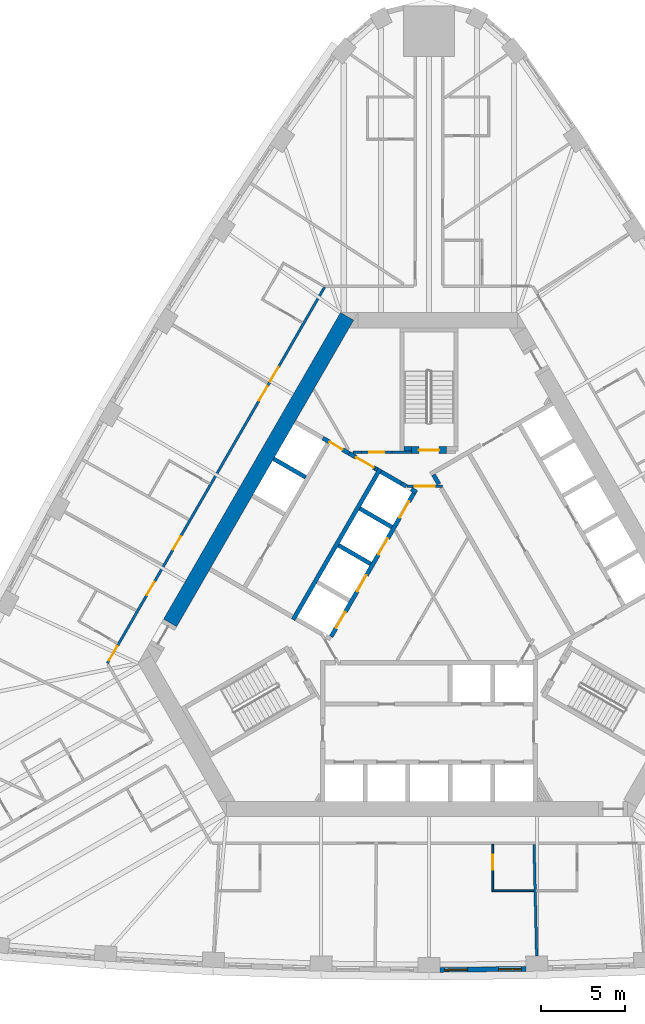
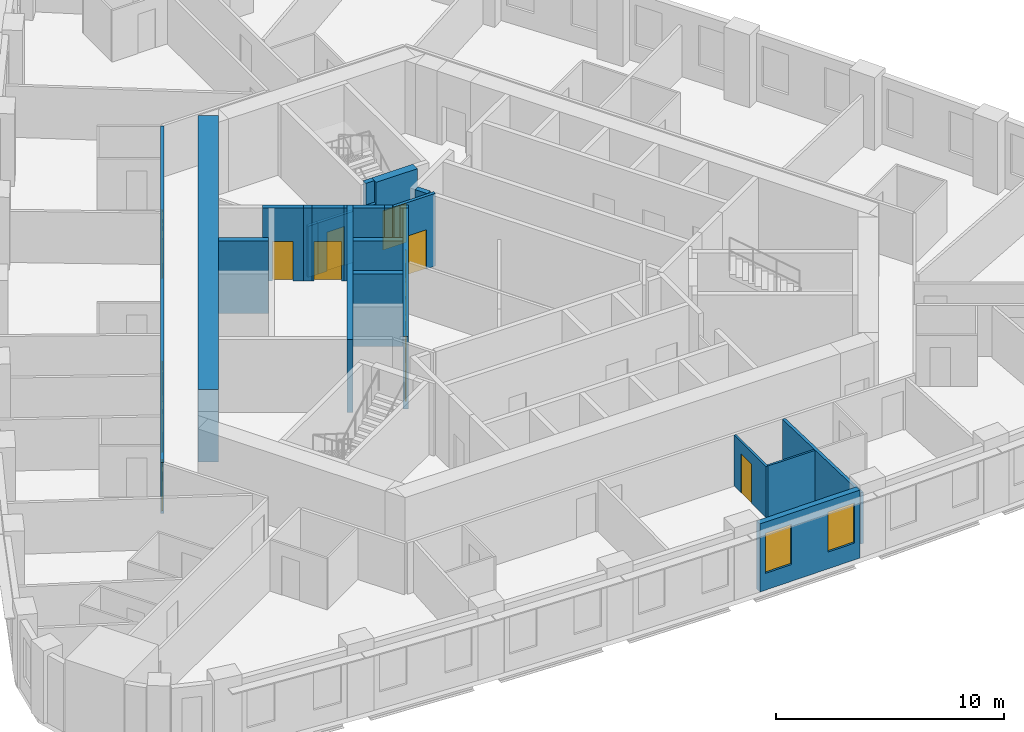
# One storey, part 6 of 12: 25 walls, 15 doors, 2 windows, 17 openings.
"""IFC4 building model written with IfcOpenShell, lengths in metres."""

from ifc_helpers import new_model, si_unit, direction, frame, frame_2d, origin, place, context, subcontext, project, spatial, polyline, rectangle, outline, extrude, material, layer, layer_set, type_object, element, fill, save


model = new_model("IFC4")

# Units and contexts
model_context = context("Model", 3, precision=1e-05, world=origin(), true_north=direction((0.0, 1.0)))
body_context = subcontext(model_context, "Body", "Model", "MODEL_VIEW")
ifc_project = project(units=[si_unit("LENGTHUNIT", "METRE"), si_unit("AREAUNIT", "SQUARE_METRE"), si_unit("VOLUMEUNIT", "CUBIC_METRE"), si_unit("PLANEANGLEUNIT", "RADIAN"), si_unit("MASSUNIT", "GRAM", prefix="KILO")], contexts=[model_context])

# Site, building, storey
site_placement = place(None, origin())
site = spatial("IfcSite", under=ifc_project, at=site_placement, CompositionType="ELEMENT")
building_placement = place(site_placement, origin())
building = spatial("IfcBuilding", under=site, at=building_placement, Name="Mestral Congress Tower", CompositionType="ELEMENT")
storey_placement = place(building_placement, frame((0.0, 0.0, 118.800048828125)))
storey = spatial("IfcBuildingStorey", under=building, at=storey_placement, Name="L28", CompositionType="ELEMENT", Elevation=118.800048828125)

# Walls
ifc_material_1 = material(Name="Fire-rated board partition")
ifc_layer_1 = layer(ifc_material_1, 0.14990234375)
ifc_layer_set_1 = layer_set([ifc_layer_1], Name="Fire-rated board partition")
wall_type_1 = type_object("IfcWallType", Name="Core partition 150", PredefinedType="PARTITIONING", material=ifc_layer_set_1)
wall_1_placement = place(storey_placement, frame((-2.195068359375, 8.62548828125, 0.0), z_axis=(0.0, 0.0, 1.0), x_axis=(1.0, 0.0, 0.0)))
element("IfcWall", 1, at=wall_1_placement, inside=storey, type_object=wall_type_1, Name="L28 core wall", PredefinedType="PARTITIONING", context=body_context, shape_type="SweptSolid", body=[
    extrude(rectangle(XDim=1.14501953125, YDim=0.14990234375, at=frame_2d((0.572509765625, 0.0))), origin(), (0.0, 0.0, 1.0), 2.75),
])
wall_2_placement = place(storey_placement, frame((-4.497802734375, 8.625244140625, 0.0), z_axis=(0.0, 0.0, 1.0), x_axis=(1.0, 0.0, 0.0)))
element("IfcWall", 2, at=wall_2_placement, inside=storey, type_object=wall_type_1, Name="L28 core wall", PredefinedType="PARTITIONING", context=body_context, shape_type="SweptSolid", body=[
    extrude(rectangle(XDim=0.50244140625, YDim=0.14990234375, at=frame_2d((0.251220703125, 0.0))), origin(), (0.0, 0.0, 1.0), 2.75),
])

# Wall, opening, door
wall_3_placement = place(storey_placement, frame((-2.1953125, 8.625, 0.0), z_axis=(0.0, 0.0, 1.0), x_axis=(-1.0, 0.0, 0.0)))
wall_3 = element("IfcWall", 3, at=wall_3_placement, inside=storey, type_object=wall_type_1, Name="L28 door wall", PredefinedType="PARTITIONING", context=body_context, shape_type="SweptSolid", body=[
    extrude(rectangle(XDim=1.7998046875, YDim=0.14990234375, at=frame_2d((0.89990234375, 0.0))), origin(), (0.0, 0.0, 1.0), 2.75),
])
opening_1_placement = place(wall_3_placement, frame((0.449951171875, 0.0, 0.0)))
opening_1 = element("IfcOpeningElement", 4, at=opening_1_placement, cuts=wall_3, Name="Opening TD2", PredefinedType="OPENING", context=body_context, shape_type="SweptSolid", body=[
    extrude(rectangle(XDim=0.89990234375, YDim=2.10009765625, at=frame_2d((0.449951171875, 1.050048828125))), frame((0.0, 0.0849609375, 0.0), z_axis=(0.0, -1.0, 0.0), x_axis=(1.0, 0.0, 0.0)), (0.0, 0.0, 1.0), 0.169921875),
])
ifc_material_2 = material(Name="Fire-rated steel door set", Category="steel")
door_type_1 = type_object("IfcDoorType", Name="Core door SR 900x2100", OperationType="SINGLE_SWING_LEFT", PredefinedType="DOOR", material=ifc_material_2)
door_1_placement = place(opening_1_placement, origin())
door_1 = element("IfcDoor", 5, at=door_1_placement, inside=storey, type_object=door_type_1, Name="Door TD2", OperationType="SINGLE_SWING_LEFT", OverallHeight=2.10009765625, OverallWidth=0.89990234375, PredefinedType="DOOR", context=body_context, shape_type="SweptSolid", body=[
    extrude(rectangle(XDim=0.89990234375, YDim=2.10009765625, at=frame_2d((0.449951171875, 1.050048828125))), frame((0.0, 0.02490234375, 0.0), z_axis=(0.0, -1.0, 0.0), x_axis=(1.0, 0.0, 0.0)), (0.0, 0.0, 1.0), 0.050048828125),
])
fill(opening_1, door_1)

# Wall
ifc_material_3 = material(Name="Concrete C60/75", Category="concrete")
ifc_layer_2 = layer(ifc_material_3, 0.89990234375)
ifc_layer_set_2 = layer_set([ifc_layer_2], Name="Concrete C60/75")
wall_type_2 = type_object("IfcWallType", Name="Core wall RC 900", PredefinedType="SOLIDWALL", material=ifc_layer_set_2)
wall_4_placement = place(storey_placement, frame((-15.359619140625, -1.50341796875, 0.0), z_axis=(0.0, 0.0, 1.0), x_axis=(0.50000389221, 0.866023156604, 0.0)))
element("IfcWall", 6, at=wall_4_placement, inside=storey, type_object=wall_type_2, Name="L28 core wall", PredefinedType="SOLIDWALL", context=body_context, shape_type="SweptSolid", body=[
    extrude(rectangle(XDim=21.000244140625, YDim=0.89990234375, at=frame_2d((10.5, 0.0))), origin(), (0.0, 0.0, 1.0), 3.89990234375),
])

# Wall, openings, windows
ifc_material_4 = material(Name="Precast concrete C40/50 with limestone facing", Category="masonry")
ifc_layer_3 = layer(ifc_material_4, 0.2900390625)
ifc_layer_set_3 = layer_set([ifc_layer_3], Name="Precast concrete C40/50 with limestone facing")
wall_type_3 = type_object("IfcWallType", Name="Facade stone wall 290", PredefinedType="SOLIDWALL", material=ifc_layer_set_3)
wall_5_placement = place(storey_placement, frame((0.6533203125, -22.091064453125, 0.0), z_axis=(0.0, 0.0, 1.0), x_axis=(0.999931786565, 0.011679992145, 0.0)))
wall_5 = element("IfcWall", 7, at=wall_5_placement, inside=storey, type_object=wall_type_3, Name="Facade wall F0-04", PredefinedType="SOLIDWALL", context=body_context, shape_type="SweptSolid", body=[
    extrude(rectangle(XDim=5.10009765625, YDim=0.2900390625, at=frame_2d((2.550048828125, 0.0))), origin(), (0.0, 0.0, 1.0), 3.64990234375),
])
opening_2_placement = place(wall_5_placement, frame((0.272705078125, 0.0, 0.89990234375)))
opening_2 = element("IfcOpeningElement", 8, at=opening_2_placement, cuts=wall_5, Name="Opening W2", PredefinedType="OPENING", context=body_context, shape_type="SweptSolid", body=[
    extrude(rectangle(XDim=1.35009765625, YDim=2.14990234375, at=frame_2d((0.675048828125, 1.074951171875))), frame((0.0, 0.155029296875, 0.0), z_axis=(0.0, -1.0, 0.0), x_axis=(1.0, 0.0, 0.0)), (0.0, 0.0, 1.0), 0.31005859375),
])
opening_3_placement = place(wall_5_placement, frame((3.477783203125, 0.0, 0.89990234375)))
opening_3 = element("IfcOpeningElement", 9, at=opening_3_placement, cuts=wall_5, Name="Opening W2", PredefinedType="OPENING", context=body_context, shape_type="SweptSolid", body=[
    extrude(rectangle(XDim=1.35009765625, YDim=2.14990234375, at=frame_2d((0.675048828125, 1.074951171875))), frame((0.0, 0.155029296875, 0.0), z_axis=(0.0, -1.0, 0.0), x_axis=(1.0, 0.0, 0.0)), (0.0, 0.0, 1.0), 0.31005859375),
])
ifc_material_5 = material(Name="Clear low-emissivity double glazing", Category="glass")
window_type = type_object("IfcWindowType", Name="Facade punched window 1350 x 2150 sill 900", PartitioningType="DOUBLE_PANEL_VERTICAL", PredefinedType="WINDOW", material=ifc_material_5)
window_1_placement = place(opening_2_placement, origin())
window_1 = element("IfcWindow", 10, at=window_1_placement, inside=storey, type_object=window_type, Name="Window F0-04a", OverallHeight=2.14990234375, OverallWidth=1.35009765625, PartitioningType="DOUBLE_PANEL_VERTICAL", PredefinedType="WINDOW", context=body_context, shape_type="SweptSolid", body=[
    extrude(rectangle(XDim=1.35009765625, YDim=2.14990234375, at=frame_2d((0.675048828125, 1.074951171875))), frame((0.0, 0.01513671875, 0.0), z_axis=(0.0, -1.0, 0.0), x_axis=(1.0, 0.0, 0.0)), (0.0, 0.0, 1.0), 0.06005859375),
])
fill(opening_2, window_1)
window_2_placement = place(opening_3_placement, origin())
window_2 = element("IfcWindow", 11, at=window_2_placement, inside=storey, type_object=window_type, Name="Window F0-04b", OverallHeight=2.14990234375, OverallWidth=1.35009765625, PartitioningType="DOUBLE_PANEL_VERTICAL", PredefinedType="WINDOW", context=body_context, shape_type="SweptSolid", body=[
    extrude(rectangle(XDim=1.35009765625, YDim=2.14990234375, at=frame_2d((0.675048828125, 1.074951171875))), frame((0.0, 0.01513671875, 0.0), z_axis=(0.0, -1.0, 0.0), x_axis=(1.0, 0.0, 0.0)), (0.0, 0.0, 1.0), 0.06005859375),
])
fill(opening_3, window_2)

# Wall, opening, door
ifc_material_6 = material(Name="Gypsum board partition on metal studs with mineral wool", Category="composite")
ifc_layer_4 = layer(ifc_material_6, 0.10009765625)
ifc_layer_set_4 = layer_set([ifc_layer_4], Name="Gypsum board partition on metal studs with mineral wool")
wall_type_4 = type_object("IfcWallType", Name="Hotel partition wall 100", PredefinedType="PARTITIONING", material=ifc_layer_set_4)
wall_6_placement = place(storey_placement, frame((3.7802734375, -14.64990234375, 0.0), z_axis=(0.0, 0.0, 1.0), x_axis=(0.0, -1.0, 0.0)))
wall_6 = element("IfcWall", 12, at=wall_6_placement, inside=storey, type_object=wall_type_4, Name="L28-h-pod03a", PredefinedType="PARTITIONING", context=body_context, shape_type="SweptSolid", body=[
    extrude(rectangle(XDim=2.800048828125, YDim=0.10009765625, at=frame_2d((1.39990234375, 0.0))), origin(), (0.0, 0.0, 1.0), 2.75),
])
opening_4_placement = place(wall_6_placement, frame((0.60009765625, 0.0, 0.0)))
opening_4 = element("IfcOpeningElement", 13, at=opening_4_placement, cuts=wall_6, Name="Opening H09-006", PredefinedType="OPENING", context=body_context, shape_type="SweptSolid", body=[
    extrude(rectangle(XDim=0.89990234375, YDim=2.10009765625, at=frame_2d((0.449951171875, 1.050048828125))), frame((0.0, 0.06005859375, 0.0), z_axis=(0.0, -1.0, 0.0), x_axis=(1.0, 0.0, 0.0)), (0.0, 0.0, 1.0), 0.1201171875),
])
ifc_material_7 = material(Name="Timber veneer door leaf in timber frame", Category="wood")
door_type_2 = type_object("IfcDoorType", Name="Bathroom door 900", OperationType="SINGLE_SWING_LEFT", PredefinedType="DOOR", material=ifc_material_7)
door_2_placement = place(opening_4_placement, origin())
door_2 = element("IfcDoor", 14, at=door_2_placement, inside=storey, type_object=door_type_2, Name="L28-h-d006", OperationType="SINGLE_SWING_RIGHT", OverallHeight=2.10009765625, OverallWidth=0.89990234375, PredefinedType="DOOR", context=body_context, shape_type="SweptSolid", body=[
    extrude(rectangle(XDim=0.89990234375, YDim=2.10009765625, at=frame_2d((0.449951171875, 1.050048828125))), frame((0.0, 0.02490234375, 0.0), z_axis=(0.0, -1.0, 0.0), x_axis=(1.0, 0.0, 0.0)), (0.0, 0.0, 1.0), 0.050048828125),
])
fill(opening_4, door_2)

# Wall
wall_7_placement = place(storey_placement, frame((3.830078125, -17.39990234375, 0.0), z_axis=(0.0, 0.0, 1.0), x_axis=(1.0, 0.0, 0.0)))
element("IfcWall", 15, at=wall_7_placement, inside=storey, type_object=wall_type_4, Name="L28-h-pod03b", PredefinedType="PARTITIONING", context=body_context, shape_type="SweptSolid", body=[
    extrude(rectangle(XDim=2.39013671875, YDim=0.10009765625, at=frame_2d((1.195068359375, 0.0))), origin(), (0.0, 0.0, 1.0), 2.75),
])

# Wall, openings, doors
ifc_layer_5 = layer(ifc_material_6, 0.14990234375)
ifc_layer_set_5 = layer_set([ifc_layer_5], Name="Gypsum board partition on metal studs with mineral wool")
wall_type_5 = type_object("IfcWallType", Name="Hotel partition wall 150", PredefinedType="PARTITIONING", material=ifc_layer_set_5)
wall_8_placement = place(storey_placement, frame((-19.081298828125, -3.89990234375, 0.0), z_axis=(0.0, 0.0, 1.0), x_axis=(0.499998313975, 0.866026377209, 0.0)))
wall_8 = element("IfcWall", 16, at=wall_8_placement, inside=storey, type_object=wall_type_5, Name="L28-h-cw08", PredefinedType="PARTITIONING", context=body_context, shape_type="SweptSolid", body=[
    extrude(rectangle(XDim=25.76611328125, YDim=0.14990234375, at=frame_2d((12.883056640625, 0.0))), origin(), (0.0, 0.0, 1.0), 2.75),
])
opening_5_placement = place(wall_8_placement, frame((19.30615234375, 0.0, 0.0)))
opening_5 = element("IfcOpeningElement", 17, at=opening_5_placement, cuts=wall_8, Name="Opening H09-027", PredefinedType="OPENING", context=body_context, shape_type="SweptSolid", body=[
    extrude(rectangle(XDim=1.0, YDim=2.10009765625, at=frame_2d((0.5, 1.050048828125))), frame((0.0, 0.0849609375, 0.0), z_axis=(0.0, -1.0, 0.0), x_axis=(1.0, 0.0, 0.0)), (0.0, 0.0, 1.0), 0.169921875),
])
opening_6_placement = place(wall_8_placement, frame((17.99951171875, 0.0, 0.0)))
opening_6 = element("IfcOpeningElement", 18, at=opening_6_placement, cuts=wall_8, Name="Opening H09-029", PredefinedType="OPENING", context=body_context, shape_type="SweptSolid", body=[
    extrude(rectangle(XDim=1.0, YDim=2.10009765625, at=frame_2d((0.5, 1.050048828125))), frame((0.0, 0.0849609375, 0.0), z_axis=(0.0, -1.0, 0.0), x_axis=(1.0, 0.0, 0.0)), (0.0, 0.0, 1.0), 0.169921875),
])
opening_7_placement = place(wall_8_placement, frame((7.792724609375, 0.0, 0.0)))
opening_7 = element("IfcOpeningElement", 19, at=opening_7_placement, cuts=wall_8, Name="Opening H09-031", PredefinedType="OPENING", context=body_context, shape_type="SweptSolid", body=[
    extrude(rectangle(XDim=0.89990234375, YDim=2.10009765625, at=frame_2d((0.449951171875, 1.050048828125))), frame((0.0, 0.0849609375, 0.0), z_axis=(0.0, -1.0, 0.0), x_axis=(1.0, 0.0, 0.0)), (0.0, 0.0, 1.0), 0.169921875),
])
opening_8_placement = place(wall_8_placement, frame((4.674072265625, 0.0, 0.0)))
opening_8 = element("IfcOpeningElement", 20, at=opening_8_placement, cuts=wall_8, Name="Opening H09-032", PredefinedType="OPENING", context=body_context, shape_type="SweptSolid", body=[
    extrude(rectangle(XDim=0.89990234375, YDim=2.10009765625, at=frame_2d((0.449951171875, 1.050048828125))), frame((0.0, 0.0849609375, 0.0), z_axis=(0.0, -1.0, 0.0), x_axis=(1.0, 0.0, 0.0)), (0.0, 0.0, 1.0), 0.169921875),
])
opening_9_placement = place(wall_8_placement, frame((0.179931640625, 0.0, 0.0)))
opening_9 = element("IfcOpeningElement", 21, at=opening_9_placement, cuts=wall_8, Name="Opening H09-033", PredefinedType="OPENING", context=body_context, shape_type="SweptSolid", body=[
    extrude(rectangle(XDim=1.0, YDim=2.10009765625, at=frame_2d((0.5, 1.050048828125))), frame((0.0, 0.0849609375, 0.0), z_axis=(0.0, -1.0, 0.0), x_axis=(1.0, 0.0, 0.0)), (0.0, 0.0, 1.0), 0.169921875),
])
ifc_material_8 = material(Name="Timber veneer door leaf in metal frame", Category="wood")
door_type_3 = type_object("IfcDoorType", Name="Guest room entrance door 1000", OperationType="SINGLE_SWING_LEFT", PredefinedType="DOOR", material=ifc_material_8)
door_3_placement = place(opening_5_placement, origin())
door_3 = element("IfcDoor", 22, at=door_3_placement, inside=storey, type_object=door_type_3, Name="L28-h-d027", OperationType="SINGLE_SWING_LEFT", OverallHeight=2.10009765625, OverallWidth=1.0, PredefinedType="DOOR", context=body_context, shape_type="SweptSolid", body=[
    extrude(rectangle(XDim=1.0, YDim=2.10009765625, at=frame_2d((0.5, 1.050048828125))), frame((0.0, 0.02490234375, 0.0), z_axis=(0.0, -1.0, 0.0), x_axis=(1.0, 0.0, 0.0)), (0.0, 0.0, 1.0), 0.050048828125),
])
fill(opening_5, door_3)
door_4_placement = place(opening_6_placement, origin())
door_4 = element("IfcDoor", 23, at=door_4_placement, inside=storey, type_object=door_type_3, Name="L28-h-d029", OperationType="SINGLE_SWING_RIGHT", OverallHeight=2.10009765625, OverallWidth=1.0, PredefinedType="DOOR", context=body_context, shape_type="SweptSolid", body=[
    extrude(rectangle(XDim=1.0, YDim=2.10009765625, at=frame_2d((0.5, 1.050048828125))), frame((0.0, 0.02490234375, 0.0), z_axis=(0.0, -1.0, 0.0), x_axis=(1.0, 0.0, 0.0)), (0.0, 0.0, 1.0), 0.050048828125),
])
fill(opening_6, door_4)
door_5_placement = place(opening_9_placement, origin())
door_5 = element("IfcDoor", 24, at=door_5_placement, inside=storey, type_object=door_type_3, Name="L28-h-d033", OperationType="SINGLE_SWING_LEFT", OverallHeight=2.10009765625, OverallWidth=1.0, PredefinedType="DOOR", context=body_context, shape_type="SweptSolid", body=[
    extrude(rectangle(XDim=1.0, YDim=2.10009765625, at=frame_2d((0.5, 1.050048828125))), frame((0.0, 0.02490234375, 0.0), z_axis=(0.0, -1.0, 0.0), x_axis=(1.0, 0.0, 0.0)), (0.0, 0.0, 1.0), 0.050048828125),
])
fill(opening_9, door_5)
door_type_4 = type_object("IfcDoorType", Name="Service room door 900", OperationType="SINGLE_SWING_LEFT", PredefinedType="DOOR", material=ifc_material_8)
door_6_placement = place(opening_7_placement, origin())
door_6 = element("IfcDoor", 25, at=door_6_placement, inside=storey, type_object=door_type_4, Name="L28-h-d031", OperationType="SINGLE_SWING_RIGHT", OverallHeight=2.10009765625, OverallWidth=0.89990234375, PredefinedType="DOOR", context=body_context, shape_type="SweptSolid", body=[
    extrude(rectangle(XDim=0.89990234375, YDim=2.10009765625, at=frame_2d((0.449951171875, 1.050048828125))), frame((0.0, 0.02490234375, 0.0), z_axis=(0.0, -1.0, 0.0), x_axis=(1.0, 0.0, 0.0)), (0.0, 0.0, 1.0), 0.050048828125),
])
fill(opening_7, door_6)
door_7_placement = place(opening_8_placement, origin())
door_7 = element("IfcDoor", 26, at=door_7_placement, inside=storey, type_object=door_type_4, Name="L28-h-d032", OperationType="SINGLE_SWING_LEFT", OverallHeight=2.10009765625, OverallWidth=0.89990234375, PredefinedType="DOOR", context=body_context, shape_type="SweptSolid", body=[
    extrude(rectangle(XDim=0.89990234375, YDim=2.10009765625, at=frame_2d((0.449951171875, 1.050048828125))), frame((0.0, 0.02490234375, 0.0), z_axis=(0.0, -1.0, 0.0), x_axis=(1.0, 0.0, 0.0)), (0.0, 0.0, 1.0), 0.050048828125),
])
fill(opening_8, door_7)

# Walls
wall_9_placement = place(storey_placement, frame((6.388916015625, -21.268798828125, 0.0), z_axis=(0.0, 0.0, 1.0), x_axis=(-0.023377429176, 0.999726710559, 0.0)))
element("IfcWall", 27, at=wall_9_placement, inside=storey, type_object=wall_type_5, Name="L28-h-pw14", PredefinedType="PARTITIONING", context=body_context, shape_type="SweptSolid", body=[
    extrude(rectangle(XDim=6.610595703125, YDim=0.14990234375, at=frame_2d((3.30517578125, 0.0))), origin(), (0.0, 0.0, 1.0), 2.75),
])
ifc_layer_6 = layer(ifc_material_3, 0.25)
ifc_layer_set_6 = layer_set([ifc_layer_6], Name="Concrete C60/75")
wall_type_6 = type_object("IfcWallType", Name="Shaft wall RC 250", PredefinedType="SOLIDWALL", material=ifc_layer_set_6)
wall_10_placement = place(storey_placement, frame((0.268310546875, 7.28515625, 0.0), z_axis=(0.0, 0.0, 1.0), x_axis=(0.500098681536, -0.865968422476, 0.0)))
element("IfcWall", 28, at=wall_10_placement, inside=storey, type_object=wall_type_6, Name="L28 core wall", PredefinedType="SOLIDWALL", context=body_context, shape_type="SweptSolid", body=[
    extrude(rectangle(XDim=0.636474609375, YDim=0.25, at=frame_2d((0.318359375, 0.0))), origin(), (0.0, 0.0, 1.0), 3.89990234375),
])
wall_11_placement = place(storey_placement, frame((-8.06005859375, -1.310546875, 0.0), z_axis=(0.0, 0.0, 1.0), x_axis=(0.50000273126, 0.866023826885, 0.0)))
element("IfcWall", 29, at=wall_11_placement, inside=storey, type_object=wall_type_6, Name="L28 core wall", PredefinedType="SOLIDWALL", context=body_context, shape_type="SweptSolid", body=[
    extrude(rectangle(XDim=10.330078125, YDim=0.25, at=frame_2d((5.1650390625, 0.0))), origin(), (0.0, 0.0, 1.0), 3.89990234375),
])
wall_12_placement = place(storey_placement, frame((-1.34228515625, 6.5947265625, 0.0), z_axis=(0.0, 0.0, 1.0), x_axis=(-0.866046247233, 0.49996389635, 0.0)))
element("IfcWall", 30, at=wall_12_placement, inside=storey, type_object=wall_type_6, Name="L28 core wall", PredefinedType="SOLIDWALL", context=body_context, shape_type="SweptSolid", body=[
    extrude(rectangle(XDim=0.35009765625, YDim=0.25, at=frame_2d((0.175048828125, 0.0))), origin(), (0.0, 0.0, 1.0), 3.89990234375),
])
wall_13_placement = place(storey_placement, frame((-1.6474609375, 6.770751953125, 0.0), z_axis=(0.0, 0.0, 1.0), x_axis=(-0.865971728693, 0.500092956464, 0.0)))
element("IfcWall", 31, at=wall_13_placement, inside=storey, type_object=wall_type_6, Name="L28 core wall", PredefinedType="SOLIDWALL", context=body_context, shape_type="SweptSolid", body=[
    extrude(rectangle(XDim=1.387939453125, YDim=0.25, at=frame_2d((0.69384765625, 0.0))), origin(), (0.0, 0.0, 1.0), 3.89990234375),
])
wall_14_placement = place(storey_placement, frame((-0.7275390625, 6.23974609375, 0.0), z_axis=(0.0, 0.0, 1.0), x_axis=(-0.866088799389, 0.499890179513, 0.0)))
element("IfcWall", 32, at=wall_14_placement, inside=storey, type_object=wall_type_6, Name="L28 core wall", PredefinedType="SOLIDWALL", context=body_context, shape_type="SweptSolid", body=[
    extrude(rectangle(XDim=0.3779296875, YDim=0.25, at=frame_2d((0.18896484375, 0.0))), origin(), (0.0, 0.0, 1.0), 3.89990234375),
])
for number, where, z_axis, x_axis, name in (
    (33, (-2.2041015625, 4.182373046875, 0.0), (0.0, 0.0, 1.0), (-0.866008176907, 0.50002983664, 0.0), "L28 core wall"),
    (34, (-5.369384765625, 3.10009765625, 0.0), (0.0, 0.0, 1.0), (0.866008176907, -0.50002983664, 0.0), "L28 core wall"),
):
    element("IfcWall", number, at=place(storey_placement, frame(where, z_axis=z_axis, x_axis=x_axis)), inside=storey, type_object=wall_type_6, Name=name, PredefinedType="SOLIDWALL", context=body_context, shape_type="SweptSolid", body=[
        extrude(rectangle(XDim=2.199951171875, YDim=0.25, at=frame_2d((1.10009765625, 0.0))), origin(), (0.0, 0.0, 1.0), 3.89990234375),
    ])
wall_15_placement = place(storey_placement, origin())
element("IfcWall", 35, at=wall_15_placement, inside=storey, type_object=wall_type_6, Name="L28 core wall", PredefinedType="SOLIDWALL", context=body_context, shape_type="SweptSolid", body=[
    extrude(outline(polyline([(-3.12841796875, 7.4814453125), (-3.2587890625, 7.556640625), (-3.1337890625, 7.773193359375), (-3.00341796875, 7.697998046875), (-3.12841796875, 7.4814453125)])), origin(), (0.0, 0.0, 1.0), 3.89990234375),
])
wall_16_placement = place(storey_placement, frame((-7.313720703125, 7.13232421875, 0.0), z_axis=(0.0, 0.0, 1.0), x_axis=(-0.866008176907, 0.50002983664, 0.0)))
element("IfcWall", 36, at=wall_16_placement, inside=storey, type_object=wall_type_6, Name="L28 core wall", PredefinedType="SOLIDWALL", context=body_context, shape_type="SweptSolid", body=[
    extrude(rectangle(XDim=2.199951171875, YDim=0.25, at=frame_2d((1.10009765625, 0.0))), origin(), (0.0, 0.0, 1.0), 3.89990234375),
])
wall_17_placement = place(storey_placement, frame((-4.40869140625, 8.364990234375, 0.0), z_axis=(0.0, 0.0, 1.0), x_axis=(-0.866057014183, 0.499945245186, 0.0)))
element("IfcWall", 37, at=wall_17_placement, inside=storey, type_object=wall_type_6, Name="L28 core wall", PredefinedType="SOLIDWALL", context=body_context, shape_type="SweptSolid", body=[
    extrude(rectangle(XDim=0.37939453125, YDim=0.25, at=frame_2d((0.189697265625, 0.0))), origin(), (0.0, 0.0, 1.0), 3.89990234375),
])

# Wall, openings, doors
wall_18_placement = place(storey_placement, frame((-0.898193359375, 6.194091796875, 0.0), z_axis=(0.0, 0.0, 1.0), x_axis=(-0.499996202215, -0.866027596426, 0.0)))
wall_18 = element("IfcWall", 38, at=wall_18_placement, inside=storey, type_object=wall_type_6, Name="L28 door wall", PredefinedType="SOLIDWALL", context=body_context, shape_type="SweptSolid", body=[
    extrude(rectangle(XDim=9.830078125, YDim=0.25, at=frame_2d((4.9150390625, 0.0))), origin(), (0.0, 0.0, 1.0), 3.89990234375),
])
opening_10_placement = place(wall_18_placement, frame((0.5849609375, 0.0, 0.0)))
opening_10 = element("IfcOpeningElement", 39, at=opening_10_placement, cuts=wall_18, Name="Opening LD-NWB1", PredefinedType="OPENING", context=body_context, shape_type="SweptSolid", body=[
    extrude(rectangle(XDim=1.10009765625, YDim=2.10009765625, at=frame_2d((0.550048828125, 1.050048828125))), frame((0.0, 0.135009765625, 0.0), z_axis=(0.0, -1.0, 0.0), x_axis=(1.0, 0.0, 0.0)), (0.0, 0.0, 1.0), 0.27001953125),
])
opening_11_placement = place(wall_18_placement, frame((3.10498046875, 0.0, 0.0)))
opening_11 = element("IfcOpeningElement", 40, at=opening_11_placement, cuts=wall_18, Name="Opening LD-NWB2", PredefinedType="OPENING", context=body_context, shape_type="SweptSolid", body=[
    extrude(rectangle(XDim=1.10009765625, YDim=2.10009765625, at=frame_2d((0.550048828125, 1.050048828125))), frame((0.0, 0.135009765625, 0.0), z_axis=(0.0, -1.0, 0.0), x_axis=(1.0, 0.0, 0.0)), (0.0, 0.0, 1.0), 0.27001953125),
])
opening_12_placement = place(wall_18_placement, frame((5.625, 0.0, 0.0)))
opening_12 = element("IfcOpeningElement", 41, at=opening_12_placement, cuts=wall_18, Name="Opening LD-NWB3", PredefinedType="OPENING", context=body_context, shape_type="SweptSolid", body=[
    extrude(rectangle(XDim=1.10009765625, YDim=2.10009765625, at=frame_2d((0.550048828125, 1.050048828125))), frame((0.0, 0.135009765625, 0.0), z_axis=(0.0, -1.0, 0.0), x_axis=(1.0, 0.0, 0.0)), (0.0, 0.0, 1.0), 0.27001953125),
])
opening_13_placement = place(wall_18_placement, frame((8.14501953125, 0.0, 0.0)))
opening_13 = element("IfcOpeningElement", 42, at=opening_13_placement, cuts=wall_18, Name="Opening LD-NWB4", PredefinedType="OPENING", context=body_context, shape_type="SweptSolid", body=[
    extrude(rectangle(XDim=1.10009765625, YDim=2.10009765625, at=frame_2d((0.550048828125, 1.050048828125))), frame((0.0, 0.135009765625, 0.0), z_axis=(0.0, -1.0, 0.0), x_axis=(1.0, 0.0, 0.0)), (0.0, 0.0, 1.0), 0.27001953125),
])
door_type_5 = type_object("IfcDoorType", Name="Core door LD 1100x2100", OperationType="DOUBLE_DOOR_SLIDING", PredefinedType="DOOR", material=ifc_material_2)
door_8_placement = place(opening_10_placement, origin())
door_8 = element("IfcDoor", 43, at=door_8_placement, inside=storey, type_object=door_type_5, Name="Door LD-NWB1", OperationType="DOUBLE_DOOR_SLIDING", OverallHeight=2.10009765625, OverallWidth=1.10009765625, PredefinedType="DOOR", context=body_context, shape_type="SweptSolid", body=[
    extrude(rectangle(XDim=1.10009765625, YDim=2.10009765625, at=frame_2d((0.550048828125, 1.050048828125))), frame((0.0, 0.02490234375, 0.0), z_axis=(0.0, -1.0, 0.0), x_axis=(1.0, 0.0, 0.0)), (0.0, 0.0, 1.0), 0.050048828125),
])
fill(opening_10, door_8)
door_9_placement = place(opening_11_placement, origin())
door_9 = element("IfcDoor", 44, at=door_9_placement, inside=storey, type_object=door_type_5, Name="Door LD-NWB2", OperationType="DOUBLE_DOOR_SLIDING", OverallHeight=2.10009765625, OverallWidth=1.10009765625, PredefinedType="DOOR", context=body_context, shape_type="SweptSolid", body=[
    extrude(rectangle(XDim=1.10009765625, YDim=2.10009765625, at=frame_2d((0.550048828125, 1.050048828125))), frame((0.0, 0.02490234375, 0.0), z_axis=(0.0, -1.0, 0.0), x_axis=(1.0, 0.0, 0.0)), (0.0, 0.0, 1.0), 0.050048828125),
])
fill(opening_11, door_9)
door_10_placement = place(opening_12_placement, origin())
door_10 = element("IfcDoor", 45, at=door_10_placement, inside=storey, type_object=door_type_5, Name="Door LD-NWB3", OperationType="DOUBLE_DOOR_SLIDING", OverallHeight=2.10009765625, OverallWidth=1.10009765625, PredefinedType="DOOR", context=body_context, shape_type="SweptSolid", body=[
    extrude(rectangle(XDim=1.10009765625, YDim=2.10009765625, at=frame_2d((0.550048828125, 1.050048828125))), frame((0.0, 0.02490234375, 0.0), z_axis=(0.0, -1.0, 0.0), x_axis=(1.0, 0.0, 0.0)), (0.0, 0.0, 1.0), 0.050048828125),
])
fill(opening_12, door_10)
door_11_placement = place(opening_13_placement, origin())
door_11 = element("IfcDoor", 46, at=door_11_placement, inside=storey, type_object=door_type_5, Name="Door LD-NWB4", OperationType="DOUBLE_DOOR_SLIDING", OverallHeight=2.10009765625, OverallWidth=1.10009765625, PredefinedType="DOOR", context=body_context, shape_type="SweptSolid", body=[
    extrude(rectangle(XDim=1.10009765625, YDim=2.10009765625, at=frame_2d((0.550048828125, 1.050048828125))), frame((0.0, 0.02490234375, 0.0), z_axis=(0.0, -1.0, 0.0), x_axis=(1.0, 0.0, 0.0)), (0.0, 0.0, 1.0), 0.050048828125),
])
fill(opening_13, door_11)

# Wall, opening, door
wall_19_placement = place(storey_placement, frame((-4.40869140625, 8.364990234375, 0.0), z_axis=(0.0, 0.0, 1.0), x_axis=(0.866034573852, -0.49998411664, 0.0)))
wall_19 = element("IfcWall", 47, at=wall_19_placement, inside=storey, type_object=wall_type_6, Name="L28 door wall", PredefinedType="SOLIDWALL", context=body_context, shape_type="SweptSolid", body=[
    extrude(rectangle(XDim=1.39990234375, YDim=0.25, at=frame_2d((0.699951171875, 0.0))), origin(), (0.0, 0.0, 1.0), 3.89990234375),
])
opening_14_placement = place(wall_19_placement, frame((0.10009765625, 0.0, 0.0)))
opening_14 = element("IfcOpeningElement", 48, at=opening_14_placement, cuts=wall_19, Name="Opening LB2-WL2", PredefinedType="OPENING", context=body_context, shape_type="SweptSolid", body=[
    extrude(rectangle(XDim=1.199951171875, YDim=2.10009765625, at=frame_2d((0.60009765625, 1.050048828125))), frame((0.0, 0.135009765625, 0.0), z_axis=(0.0, -1.0, 0.0), x_axis=(1.0, 0.0, 0.0)), (0.0, 0.0, 1.0), 0.27001953125),
])
door_type_6 = type_object("IfcDoorType", Name="Core door LB 1200x2100", OperationType="SINGLE_SWING_LEFT", PredefinedType="DOOR", material=ifc_material_2)
door_12_placement = place(opening_14_placement, origin())
door_12 = element("IfcDoor", 49, at=door_12_placement, inside=storey, type_object=door_type_6, Name="Door LB2-WL2", OperationType="SINGLE_SWING_LEFT", OverallHeight=2.10009765625, OverallWidth=1.199951171875, PredefinedType="DOOR", context=body_context, shape_type="SweptSolid", body=[
    extrude(rectangle(XDim=1.199951171875, YDim=2.10009765625, at=frame_2d((0.60009765625, 1.050048828125))), frame((0.0, 0.02490234375, 0.0), z_axis=(0.0, -1.0, 0.0), x_axis=(1.0, 0.0, 0.0)), (0.0, 0.0, 1.0), 0.050048828125),
])
fill(opening_14, door_12)

wall_20_placement = place(storey_placement, frame((-4.7373046875, 8.5546875, 0.0), z_axis=(0.0, 0.0, 1.0), x_axis=(-0.865989075817, 0.500062916607, 0.0)))
wall_20 = element("IfcWall", 50, at=wall_20_placement, inside=storey, type_object=wall_type_6, Name="L28 door wall", PredefinedType="SOLIDWALL", context=body_context, shape_type="SweptSolid", body=[
    extrude(rectangle(XDim=1.800048828125, YDim=0.25, at=frame_2d((0.89990234375, 0.0))), origin(), (0.0, 0.0, 1.0), 3.89990234375),
])
opening_15_placement = place(wall_20_placement, frame((0.449951171875, 0.0, 0.0)))
opening_15 = element("IfcOpeningElement", 51, at=opening_15_placement, cuts=wall_20, Name="Opening SD-HUB3", PredefinedType="OPENING", context=body_context, shape_type="SweptSolid", body=[
    extrude(rectangle(XDim=0.89990234375, YDim=2.10009765625, at=frame_2d((0.449951171875, 1.050048828125))), frame((0.0, 0.135009765625, 0.0), z_axis=(0.0, -1.0, 0.0), x_axis=(1.0, 0.0, 0.0)), (0.0, 0.0, 1.0), 0.27001953125),
])
door_13_placement = place(opening_15_placement, origin())
door_13 = element("IfcDoor", 52, at=door_13_placement, inside=storey, type_object=door_type_1, Name="Door SD-HUB3", OperationType="SINGLE_SWING_LEFT", OverallHeight=2.10009765625, OverallWidth=0.89990234375, PredefinedType="DOOR", context=body_context, shape_type="SweptSolid", body=[
    extrude(rectangle(XDim=0.89990234375, YDim=2.10009765625, at=frame_2d((0.449951171875, 1.050048828125))), frame((0.0, 0.02490234375, 0.0), z_axis=(0.0, -1.0, 0.0), x_axis=(1.0, 0.0, 0.0)), (0.0, 0.0, 1.0), 0.050048828125),
])
fill(opening_15, door_13)

ifc_layer_7 = layer(ifc_material_3, 0.14990234375)
ifc_layer_set_7 = layer_set([ifc_layer_7], Name="Concrete C60/75")
wall_type_7 = type_object("IfcWallType", Name="Shaft wall RC 250 door-wall 150", PredefinedType="SOLIDWALL", material=ifc_layer_set_7)
wall_21_placement = place(storey_placement, frame((-1.303466796875, 6.60009765625, 0.0), z_axis=(0.0, 0.0, 1.0), x_axis=(1.0, 0.0, 0.0)))
wall_21 = element("IfcWall", 53, at=wall_21_placement, inside=storey, type_object=wall_type_7, Name="L28 door wall", PredefinedType="PARTITIONING", context=body_context, shape_type="SweptSolid", body=[
    extrude(rectangle(XDim=2.099853515625, YDim=0.14990234375, at=frame_2d((1.0498046875, 0.0))), origin(), (0.0, 0.0, 1.0), 3.89990234375),
])
opening_16_placement = place(wall_21_placement, frame((0.449951171875, 0.0, 0.0)))
opening_16 = element("IfcOpeningElement", 54, at=opening_16_placement, cuts=wall_21, Name="Opening CD2-HUB1", PredefinedType="OPENING", context=body_context, shape_type="SweptSolid", body=[
    extrude(rectangle(XDim=1.199951171875, YDim=2.10009765625, at=frame_2d((0.60009765625, 1.050048828125))), frame((0.0, 0.0849609375, 0.0), z_axis=(0.0, -1.0, 0.0), x_axis=(1.0, 0.0, 0.0)), (0.0, 0.0, 1.0), 0.169921875),
])
door_type_7 = type_object("IfcDoorType", Name="Core door CD 1200x2100", OperationType="SINGLE_SWING_LEFT", PredefinedType="DOOR", material=ifc_material_2)
door_14_placement = place(opening_16_placement, origin())
door_14 = element("IfcDoor", 55, at=door_14_placement, inside=storey, type_object=door_type_7, Name="Door CD2-HUB1", OperationType="SINGLE_SWING_LEFT", OverallHeight=2.10009765625, OverallWidth=1.199951171875, PredefinedType="DOOR", context=body_context, shape_type="SweptSolid", body=[
    extrude(rectangle(XDim=1.199951171875, YDim=2.10009765625, at=frame_2d((0.60009765625, 1.050048828125))), frame((0.0, 0.02490234375, 0.0), z_axis=(0.0, -1.0, 0.0), x_axis=(1.0, 0.0, 0.0)), (0.0, 0.0, 1.0), 0.050048828125),
])
fill(opening_16, door_14)

# Wall
ifc_layer_8 = layer(ifc_material_3, 0.25)
ifc_layer_set_8 = layer_set([ifc_layer_8], Name="Concrete C60/75")
wall_type_8 = type_object("IfcWallType", Name="Stair wall RC 250", PredefinedType="SOLIDWALL", material=ifc_layer_set_8)
wall_22_placement = place(storey_placement, frame((-1.47509765625, 8.824951171875, 0.0), z_axis=(0.0, 0.0, 1.0), x_axis=(1.0, 0.0, 0.0)))
element("IfcWall", 56, at=wall_22_placement, inside=storey, type_object=wall_type_8, Name="L28 core wall", PredefinedType="SOLIDWALL", context=body_context, shape_type="SweptSolid", body=[
    extrude(rectangle(XDim=0.425048828125, YDim=0.25, at=frame_2d((0.21240234375, 0.0))), origin(), (0.0, 0.0, 1.0), 3.89990234375),
])

# Wall, opening, door
ifc_layer_9 = layer(ifc_material_3, 0.39990234375)
ifc_layer_set_9 = layer_set([ifc_layer_9], Name="Concrete C60/75")
wall_type_9 = type_object("IfcWallType", Name="Stair wall RC 250 door-wall 400", PredefinedType="SOLIDWALL", material=ifc_layer_set_9)
wall_23_placement = place(storey_placement, frame((1.050048828125, 8.75, 0.0), z_axis=(0.0, 0.0, 1.0), x_axis=(-1.0, 0.0, 0.0)))
wall_23 = element("IfcWall", 57, at=wall_23_placement, inside=storey, type_object=wall_type_9, Name="L28 door wall", PredefinedType="SOLIDWALL", context=body_context, shape_type="SweptSolid", body=[
    extrude(rectangle(XDim=2.10009765625, YDim=0.39990234375, at=frame_2d((1.050048828125, 0.0))), origin(), (0.0, 0.0, 1.0), 3.89990234375),
])
opening_17_placement = place(wall_23_placement, frame((0.449951171875, 0.0, 0.0)))
opening_17 = element("IfcOpeningElement", 58, at=opening_17_placement, cuts=wall_23, Name="Opening ST-D2", PredefinedType="OPENING", context=body_context, shape_type="SweptSolid", body=[
    extrude(rectangle(XDim=1.199951171875, YDim=2.10009765625, at=frame_2d((0.60009765625, 1.050048828125))), frame((0.0, 0.2099609375, 0.0), z_axis=(0.0, -1.0, 0.0), x_axis=(1.0, 0.0, 0.0)), (0.0, 0.0, 1.0), 0.419921875),
])
door_type_8 = type_object("IfcDoorType", Name="Core door ST 1200x2100", OperationType="SINGLE_SWING_LEFT", PredefinedType="DOOR", material=ifc_material_2)
door_15_placement = place(opening_17_placement, origin())
door_15 = element("IfcDoor", 59, at=door_15_placement, inside=storey, type_object=door_type_8, Name="Door ST-D2", OperationType="SINGLE_SWING_LEFT", OverallHeight=2.10009765625, OverallWidth=1.199951171875, PredefinedType="DOOR", context=body_context, shape_type="SweptSolid", body=[
    extrude(rectangle(XDim=1.199951171875, YDim=2.10009765625, at=frame_2d((0.60009765625, 1.050048828125))), frame((0.0, 0.02490234375, 0.0), z_axis=(0.0, -1.0, 0.0), x_axis=(1.0, 0.0, 0.0)), (0.0, 0.0, 1.0), 0.050048828125),
])
fill(opening_17, door_15)

save(model, "model.ifc")
